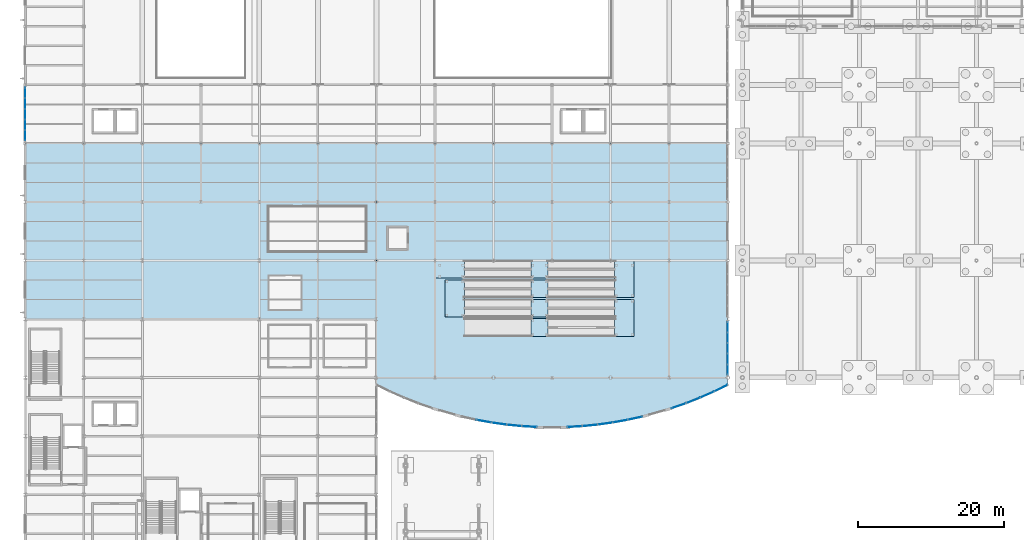
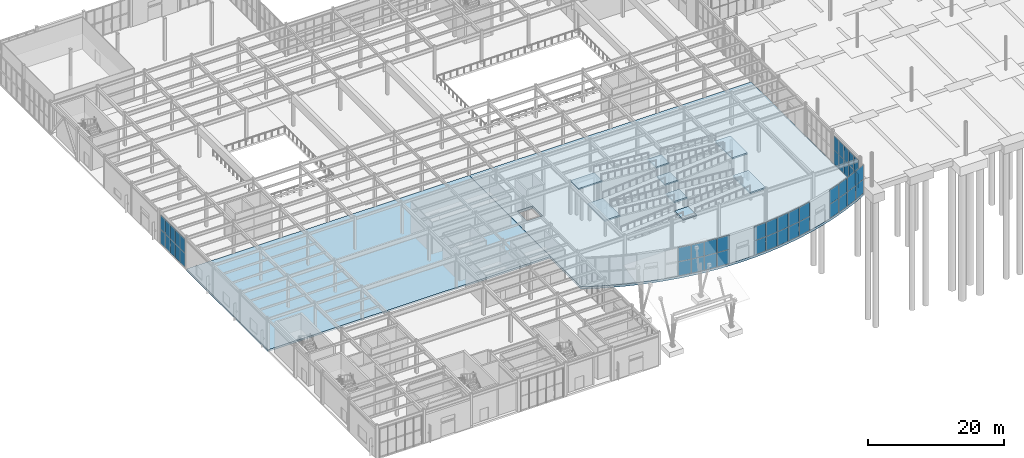
# One storey, part 50 of 82: 46 plates, 10 slabs, 16 elements without a shape of their own.
"""IFC4 building model written with IfcOpenShell, lengths in metres."""

from ifc_helpers import new_model, si_unit, direction, frame, origin, origin_2d, place, context, subcontext, project, spatial, polyline, rectangle, outline, extrude, material, layer, layer_set, type_object, element, aggregate, save


model = new_model("IFC4")

# Units and contexts
model_context = context("Model", 3, precision=1e-05, world=origin(), true_north=direction((0.0, 1.0)))
body_context = subcontext(model_context, "Body", "Model", "MODEL_VIEW")
ifc_project = project(units=[si_unit("LENGTHUNIT", "METRE"), si_unit("AREAUNIT", "SQUARE_METRE"), si_unit("VOLUMEUNIT", "CUBIC_METRE"), si_unit("PLANEANGLEUNIT", "RADIAN"), si_unit("MASSUNIT", "GRAM", prefix="KILO")], contexts=[model_context])

# Site, building, storey
site_placement = place(None, origin())
site = spatial("IfcSite", under=ifc_project, at=site_placement, CompositionType="ELEMENT")
building_placement = place(site_placement, origin())
building = spatial("IfcBuilding", under=site, at=building_placement, Name="Drelvath Fold Interchange", CompositionType="ELEMENT")
storey_placement = place(building_placement, origin())
storey = spatial("IfcBuildingStorey", under=building, at=storey_placement, Name="L00", CompositionType="ELEMENT", Elevation=0.0)

# Curtain wall, plates
ifc_material_1 = material(Name="Anodized Aluminium 6063-T6", Category="aluminium")
curtain_wall_type_1 = type_object("IfcCurtainWallType", Name="CW-ARC-L00", PredefinedType="USERDEFINED", material=ifc_material_1)
curtain_wall_1_placement = place(storey_placement, origin())
curtain_wall_1 = element("IfcCurtainWall", 1, at=curtain_wall_1_placement, inside=storey, type_object=curtain_wall_type_1, Name="Curtain wall CW-WH-L00-07", ObjectType="UNITISED CURTAIN WALL", PredefinedType="USERDEFINED")
ifc_material_2 = material(Name="Low-Iron Insulated Laminated Glass", Category="glass")
ifc_layer_1 = layer(ifc_material_2, 0.035888671875, Name="Low-Iron Insulated Laminated Glass")
ifc_layer_set_1 = layer_set([ifc_layer_1], Name="Low-Iron Insulated Laminated Glass")
plate_type_1 = type_object("IfcPlateType", Name="CP-ARC-A", PredefinedType="CURTAIN_PANEL", material=ifc_layer_set_1)
plate_1_placement = place(storey_placement, frame((66.7041015625, 21.032958984375, 0.0400390625), z_axis=(0.0, 0.0, 1.0), x_axis=(0.984177058302, -0.177187804071, 0.0)))
plate_1 = element("IfcPlate", 2, at=plate_1_placement, type_object=plate_type_1, Name="CW-WH-L00-07 glazed panel 0-0", PredefinedType="CURTAIN_PANEL", context=body_context, shape_type="SweptSolid", body=[
    extrude(rectangle(XDim=1.97705078125, YDim=0.035888671875, at=origin_2d()), origin(), (0.0, 0.0, 1.0), 2.550048828125),
])
plate_2_placement = place(storey_placement, frame((66.7041015625, 21.032958984375, 2.60986328125), z_axis=(0.0, 0.0, 1.0), x_axis=(0.984177058302, -0.177187804071, 0.0)))
plate_2 = element("IfcPlate", 3, at=plate_2_placement, type_object=plate_type_1, Name="CW-WH-L00-07 glazed panel 0-1", PredefinedType="CURTAIN_PANEL", context=body_context, shape_type="SweptSolid", body=[
    extrude(rectangle(XDim=1.97705078125, YDim=0.035888671875, at=origin_2d()), origin(), (0.0, 0.0, 1.0), 2.550048828125),
])
aggregate(curtain_wall_1, [plate_1, plate_2])

curtain_wall_2_placement = place(storey_placement, origin())
curtain_wall_2 = element("IfcCurtainWall", 4, at=curtain_wall_2_placement, inside=storey, type_object=curtain_wall_type_1, Name="Curtain wall CW-WH-L00-08", ObjectType="UNITISED CURTAIN WALL", PredefinedType="USERDEFINED")
plate_3_placement = place(storey_placement, frame((68.7548828125, 20.7060546875, 0.0400390625), z_axis=(0.0, 0.0, 1.0), x_axis=(0.990406033328, -0.138187876271, 0.0)))
plate_3 = element("IfcPlate", 5, at=plate_3_placement, type_object=plate_type_1, Name="CW-WH-L00-08 glazed panel 0-0", PredefinedType="CURTAIN_PANEL", context=body_context, shape_type="SweptSolid", body=[
    extrude(rectangle(XDim=1.97705078125, YDim=0.035888671875, at=origin_2d()), origin(), (0.0, 0.0, 1.0), 2.550048828125),
])
plate_4_placement = place(storey_placement, frame((68.7548828125, 20.7060546875, 2.60986328125), z_axis=(0.0, 0.0, 1.0), x_axis=(0.990406033328, -0.138187876271, 0.0)))
plate_4 = element("IfcPlate", 6, at=plate_4_placement, type_object=plate_type_1, Name="CW-WH-L00-08 glazed panel 0-1", PredefinedType="CURTAIN_PANEL", context=body_context, shape_type="SweptSolid", body=[
    extrude(rectangle(XDim=1.97705078125, YDim=0.035888671875, at=origin_2d()), origin(), (0.0, 0.0, 1.0), 2.550048828125),
])
aggregate(curtain_wall_2, [plate_3, plate_4])

curtain_wall_3_placement = place(storey_placement, origin())
curtain_wall_3 = element("IfcCurtainWall", 7, at=curtain_wall_3_placement, inside=storey, type_object=curtain_wall_type_1, Name="Curtain wall CW-WH-L00-09", ObjectType="UNITISED CURTAIN WALL", PredefinedType="USERDEFINED")
plate_5_placement = place(storey_placement, frame((70.81591796875, 20.458984375, 0.0400390625), z_axis=(0.0, 0.0, 1.0), x_axis=(0.99511777798, -0.098694518326, 0.0)))
plate_5 = element("IfcPlate", 8, at=plate_5_placement, type_object=plate_type_1, Name="CW-WH-L00-09 glazed panel 0-0", PredefinedType="CURTAIN_PANEL", context=body_context, shape_type="SweptSolid", body=[
    extrude(rectangle(XDim=1.97705078125, YDim=0.035888671875, at=origin_2d()), origin(), (0.0, 0.0, 1.0), 2.550048828125),
])
plate_6_placement = place(storey_placement, frame((70.81591796875, 20.458984375, 2.60986328125), z_axis=(0.0, 0.0, 1.0), x_axis=(0.99511777798, -0.098694518326, 0.0)))
plate_6 = element("IfcPlate", 9, at=plate_6_placement, type_object=plate_type_1, Name="CW-WH-L00-09 glazed panel 0-1", PredefinedType="CURTAIN_PANEL", context=body_context, shape_type="SweptSolid", body=[
    extrude(rectangle(XDim=1.97705078125, YDim=0.035888671875, at=origin_2d()), origin(), (0.0, 0.0, 1.0), 2.550048828125),
])
aggregate(curtain_wall_3, [plate_5, plate_6])

curtain_wall_4_placement = place(storey_placement, origin())
curtain_wall_4 = element("IfcCurtainWall", 10, at=curtain_wall_4_placement, inside=storey, type_object=curtain_wall_type_1, Name="Curtain wall CW-WH-L00-10", ObjectType="UNITISED CURTAIN WALL", PredefinedType="USERDEFINED")
plate_7_placement = place(storey_placement, frame((72.885986328125, 20.2958984375, 0.0400390625), z_axis=(0.0, 0.0, 1.0), x_axis=(0.998243965857, -0.059236683145, 0.0)))
plate_7 = element("IfcPlate", 11, at=plate_7_placement, type_object=plate_type_1, Name="CW-WH-L00-10 glazed panel 0-0", PredefinedType="CURTAIN_PANEL", context=body_context, shape_type="SweptSolid", body=[
    extrude(rectangle(XDim=1.97705078125, YDim=0.035888671875, at=origin_2d()), origin(), (0.0, 0.0, 1.0), 2.550048828125),
])
plate_8_placement = place(storey_placement, frame((72.885986328125, 20.2958984375, 2.60986328125), z_axis=(0.0, 0.0, 1.0), x_axis=(0.998243965857, -0.059236683145, 0.0)))
plate_8 = element("IfcPlate", 12, at=plate_8_placement, type_object=plate_type_1, Name="CW-WH-L00-10 glazed panel 0-1", PredefinedType="CURTAIN_PANEL", context=body_context, shape_type="SweptSolid", body=[
    extrude(rectangle(XDim=1.97705078125, YDim=0.035888671875, at=origin_2d()), origin(), (0.0, 0.0, 1.0), 2.550048828125),
])
aggregate(curtain_wall_4, [plate_7, plate_8])

curtain_wall_5_placement = place(storey_placement, origin())
curtain_wall_5 = element("IfcCurtainWall", 13, at=curtain_wall_5_placement, inside=storey, type_object=curtain_wall_type_1, Name="Curtain wall CW-WH-L00-13", ObjectType="UNITISED CURTAIN WALL", PredefinedType="USERDEFINED")
plate_9_placement = place(storey_placement, frame((79.114013671875, 20.2958984375, 0.0400390625), z_axis=(0.0, 0.0, 1.0), x_axis=(0.998243965857, 0.059236683145, 0.0)))
plate_9 = element("IfcPlate", 14, at=plate_9_placement, type_object=plate_type_1, Name="CW-WH-L00-13 glazed panel 0-0", PredefinedType="CURTAIN_PANEL", context=body_context, shape_type="SweptSolid", body=[
    extrude(rectangle(XDim=1.97705078125, YDim=0.035888671875, at=origin_2d()), origin(), (0.0, 0.0, 1.0), 2.550048828125),
])
plate_10_placement = place(storey_placement, frame((79.114013671875, 20.2958984375, 2.60986328125), z_axis=(0.0, 0.0, 1.0), x_axis=(0.998243965857, 0.059236683145, 0.0)))
plate_10 = element("IfcPlate", 15, at=plate_10_placement, type_object=plate_type_1, Name="CW-WH-L00-13 glazed panel 0-1", PredefinedType="CURTAIN_PANEL", context=body_context, shape_type="SweptSolid", body=[
    extrude(rectangle(XDim=1.97705078125, YDim=0.035888671875, at=origin_2d()), origin(), (0.0, 0.0, 1.0), 2.550048828125),
])
aggregate(curtain_wall_5, [plate_9, plate_10])

curtain_wall_6_placement = place(storey_placement, origin())
curtain_wall_6 = element("IfcCurtainWall", 16, at=curtain_wall_6_placement, inside=storey, type_object=curtain_wall_type_1, Name="Curtain wall CW-WH-L00-14", ObjectType="UNITISED CURTAIN WALL", PredefinedType="USERDEFINED")
plate_11_placement = place(storey_placement, frame((81.18408203125, 20.458984375, 0.0400390625), z_axis=(0.0, 0.0, 1.0), x_axis=(0.99511777798, 0.098694518326, 0.0)))
plate_11 = element("IfcPlate", 17, at=plate_11_placement, type_object=plate_type_1, Name="CW-WH-L00-14 glazed panel 0-0", PredefinedType="CURTAIN_PANEL", context=body_context, shape_type="SweptSolid", body=[
    extrude(rectangle(XDim=1.97705078125, YDim=0.035888671875, at=origin_2d()), origin(), (0.0, 0.0, 1.0), 2.550048828125),
])
plate_12_placement = place(storey_placement, frame((81.18408203125, 20.458984375, 2.60986328125), z_axis=(0.0, 0.0, 1.0), x_axis=(0.99511777798, 0.098694518326, 0.0)))
plate_12 = element("IfcPlate", 18, at=plate_12_placement, type_object=plate_type_1, Name="CW-WH-L00-14 glazed panel 0-1", PredefinedType="CURTAIN_PANEL", context=body_context, shape_type="SweptSolid", body=[
    extrude(rectangle(XDim=1.97705078125, YDim=0.035888671875, at=origin_2d()), origin(), (0.0, 0.0, 1.0), 2.550048828125),
])
aggregate(curtain_wall_6, [plate_11, plate_12])

curtain_wall_7_placement = place(storey_placement, origin())
curtain_wall_7 = element("IfcCurtainWall", 19, at=curtain_wall_7_placement, inside=storey, type_object=curtain_wall_type_1, Name="Curtain wall CW-WH-L00-15", ObjectType="UNITISED CURTAIN WALL", PredefinedType="USERDEFINED")
plate_13_placement = place(storey_placement, frame((83.2451171875, 20.7060546875, 0.0400390625), z_axis=(0.0, 0.0, 1.0), x_axis=(0.990406033328, 0.138187876271, 0.0)))
plate_13 = element("IfcPlate", 20, at=plate_13_placement, type_object=plate_type_1, Name="CW-WH-L00-15 glazed panel 0-0", PredefinedType="CURTAIN_PANEL", context=body_context, shape_type="SweptSolid", body=[
    extrude(rectangle(XDim=1.97705078125, YDim=0.035888671875, at=origin_2d()), origin(), (0.0, 0.0, 1.0), 2.550048828125),
])
plate_14_placement = place(storey_placement, frame((83.2451171875, 20.7060546875, 2.60986328125), z_axis=(0.0, 0.0, 1.0), x_axis=(0.990406033328, 0.138187876271, 0.0)))
plate_14 = element("IfcPlate", 21, at=plate_14_placement, type_object=plate_type_1, Name="CW-WH-L00-15 glazed panel 0-1", PredefinedType="CURTAIN_PANEL", context=body_context, shape_type="SweptSolid", body=[
    extrude(rectangle(XDim=1.97705078125, YDim=0.035888671875, at=origin_2d()), origin(), (0.0, 0.0, 1.0), 2.550048828125),
])
aggregate(curtain_wall_7, [plate_13, plate_14])

curtain_wall_8_placement = place(storey_placement, origin())
curtain_wall_8 = element("IfcCurtainWall", 22, at=curtain_wall_8_placement, inside=storey, type_object=curtain_wall_type_1, Name="Curtain wall CW-WH-L00-16", ObjectType="UNITISED CURTAIN WALL", PredefinedType="USERDEFINED")
plate_15_placement = place(storey_placement, frame((85.2958984375, 21.032958984375, 0.0400390625), z_axis=(0.0, 0.0, 1.0), x_axis=(0.984177058302, 0.177187804071, 0.0)))
plate_15 = element("IfcPlate", 23, at=plate_15_placement, type_object=plate_type_1, Name="CW-WH-L00-16 glazed panel 0-0", PredefinedType="CURTAIN_PANEL", context=body_context, shape_type="SweptSolid", body=[
    extrude(rectangle(XDim=1.97705078125, YDim=0.035888671875, at=origin_2d()), origin(), (0.0, 0.0, 1.0), 2.550048828125),
])
plate_16_placement = place(storey_placement, frame((85.2958984375, 21.032958984375, 2.60986328125), z_axis=(0.0, 0.0, 1.0), x_axis=(0.984177058302, 0.177187804071, 0.0)))
plate_16 = element("IfcPlate", 24, at=plate_16_placement, type_object=plate_type_1, Name="CW-WH-L00-16 glazed panel 0-1", PredefinedType="CURTAIN_PANEL", context=body_context, shape_type="SweptSolid", body=[
    extrude(rectangle(XDim=1.97705078125, YDim=0.035888671875, at=origin_2d()), origin(), (0.0, 0.0, 1.0), 2.550048828125),
])
aggregate(curtain_wall_8, [plate_15, plate_16])

curtain_wall_9_placement = place(storey_placement, origin())
curtain_wall_9 = element("IfcCurtainWall", 25, at=curtain_wall_9_placement, inside=storey, type_object=curtain_wall_type_1, Name="Curtain wall CW-WH-L00-17", ObjectType="UNITISED CURTAIN WALL", PredefinedType="USERDEFINED")
plate_17_placement = place(storey_placement, frame((87.33203125, 21.44091796875, 0.0400390625), z_axis=(0.0, 0.0, 1.0), x_axis=(0.976458168269, 0.215706851122, 0.0)))
plate_17 = element("IfcPlate", 26, at=plate_17_placement, type_object=plate_type_1, Name="CW-WH-L00-17 glazed panel 0-0", PredefinedType="CURTAIN_PANEL", context=body_context, shape_type="SweptSolid", body=[
    extrude(rectangle(XDim=1.97705078125, YDim=0.035888671875, at=origin_2d()), origin(), (0.0, 0.0, 1.0), 2.550048828125),
])
plate_18_placement = place(storey_placement, frame((87.33203125, 21.44091796875, 2.60986328125), z_axis=(0.0, 0.0, 1.0), x_axis=(0.976458168269, 0.215706851122, 0.0)))
plate_18 = element("IfcPlate", 27, at=plate_18_placement, type_object=plate_type_1, Name="CW-WH-L00-17 glazed panel 0-1", PredefinedType="CURTAIN_PANEL", context=body_context, shape_type="SweptSolid", body=[
    extrude(rectangle(XDim=1.97705078125, YDim=0.035888671875, at=origin_2d()), origin(), (0.0, 0.0, 1.0), 2.550048828125),
])
aggregate(curtain_wall_9, [plate_17, plate_18])

curtain_wall_10_placement = place(storey_placement, origin())
curtain_wall_10 = element("IfcCurtainWall", 28, at=curtain_wall_10_placement, inside=storey, type_object=curtain_wall_type_1, Name="Curtain wall CW-WH-L00-20", ObjectType="UNITISED CURTAIN WALL", PredefinedType="USERDEFINED")
plate_19_placement = place(storey_placement, frame((93.322021484375, 23.14306640625, 0.0400390625), z_axis=(0.0, 0.0, 1.0), x_axis=(0.944060245862, 0.329773031317, 0.0)))
plate_19 = element("IfcPlate", 29, at=plate_19_placement, type_object=plate_type_1, Name="CW-WH-L00-20 glazed panel 0-0", PredefinedType="CURTAIN_PANEL", context=body_context, shape_type="SweptSolid", body=[
    extrude(rectangle(XDim=1.97705078125, YDim=0.035888671875, at=origin_2d()), origin(), (0.0, 0.0, 1.0), 2.550048828125),
])
plate_20_placement = place(storey_placement, frame((93.322021484375, 23.14306640625, 2.60986328125), z_axis=(0.0, 0.0, 1.0), x_axis=(0.944060245862, 0.329773031317, 0.0)))
plate_20 = element("IfcPlate", 30, at=plate_20_placement, type_object=plate_type_1, Name="CW-WH-L00-20 glazed panel 0-1", PredefinedType="CURTAIN_PANEL", context=body_context, shape_type="SweptSolid", body=[
    extrude(rectangle(XDim=1.97705078125, YDim=0.035888671875, at=origin_2d()), origin(), (0.0, 0.0, 1.0), 2.550048828125),
])
aggregate(curtain_wall_10, [plate_19, plate_20])

curtain_wall_11_placement = place(storey_placement, origin())
curtain_wall_11 = element("IfcCurtainWall", 31, at=curtain_wall_11_placement, inside=storey, type_object=curtain_wall_type_1, Name="Curtain wall CW-WH-L00-21", ObjectType="UNITISED CURTAIN WALL", PredefinedType="USERDEFINED")
plate_21_placement = place(storey_placement, frame((95.26806640625, 23.866943359375, 0.0400390625), z_axis=(0.0, 0.0, 1.0), x_axis=(0.93009738109, 0.367313029567, 0.0)))
plate_21 = element("IfcPlate", 32, at=plate_21_placement, type_object=plate_type_1, Name="CW-WH-L00-21 glazed panel 0-0", PredefinedType="CURTAIN_PANEL", context=body_context, shape_type="SweptSolid", body=[
    extrude(rectangle(XDim=1.97705078125, YDim=0.035888671875, at=origin_2d()), origin(), (0.0, 0.0, 1.0), 2.550048828125),
])
plate_22_placement = place(storey_placement, frame((95.26806640625, 23.866943359375, 2.60986328125), z_axis=(0.0, 0.0, 1.0), x_axis=(0.93009738109, 0.367313029567, 0.0)))
plate_22 = element("IfcPlate", 33, at=plate_22_placement, type_object=plate_type_1, Name="CW-WH-L00-21 glazed panel 0-1", PredefinedType="CURTAIN_PANEL", context=body_context, shape_type="SweptSolid", body=[
    extrude(rectangle(XDim=1.97705078125, YDim=0.035888671875, at=origin_2d()), origin(), (0.0, 0.0, 1.0), 2.550048828125),
])
aggregate(curtain_wall_11, [plate_21, plate_22])

curtain_wall_12_placement = place(storey_placement, origin())
curtain_wall_12 = element("IfcCurtainWall", 34, at=curtain_wall_12_placement, inside=storey, type_object=curtain_wall_type_1, Name="Curtain wall CW-WH-L00-22", ObjectType="UNITISED CURTAIN WALL", PredefinedType="USERDEFINED")
plate_23_placement = place(storey_placement, frame((97.18408203125, 24.66796875, 0.0400390625), z_axis=(0.0, 0.0, 1.0), x_axis=(0.91495966785, 0.403545296352, 0.0)))
plate_23 = element("IfcPlate", 35, at=plate_23_placement, type_object=plate_type_1, Name="CW-WH-L00-22 glazed panel 0-0", PredefinedType="CURTAIN_PANEL", context=body_context, shape_type="SweptSolid", body=[
    extrude(rectangle(XDim=1.97705078125, YDim=0.035888671875, at=origin_2d()), origin(), (0.0, 0.0, 1.0), 2.550048828125),
])
plate_24_placement = place(storey_placement, frame((97.18408203125, 24.66796875, 2.60986328125), z_axis=(0.0, 0.0, 1.0), x_axis=(0.91495966785, 0.403545296352, 0.0)))
plate_24 = element("IfcPlate", 36, at=plate_24_placement, type_object=plate_type_1, Name="CW-WH-L00-22 glazed panel 0-1", PredefinedType="CURTAIN_PANEL", context=body_context, shape_type="SweptSolid", body=[
    extrude(rectangle(XDim=1.97705078125, YDim=0.035888671875, at=origin_2d()), origin(), (0.0, 0.0, 1.0), 2.550048828125),
])
aggregate(curtain_wall_12, [plate_23, plate_24])

curtain_wall_13_placement = place(storey_placement, origin())
curtain_wall_13 = element("IfcCurtainWall", 37, at=curtain_wall_13_placement, inside=storey, type_object=curtain_wall_type_1, Name="Curtain wall CW-WH-L00-23", ObjectType="UNITISED CURTAIN WALL", PredefinedType="USERDEFINED")
plate_25_placement = place(storey_placement, frame((99.06689453125, 25.5439453125, 0.0400390625), z_axis=(0.0, 0.0, 1.0), x_axis=(0.898242463355, 0.439500258277, 0.0)))
plate_25 = element("IfcPlate", 38, at=plate_25_placement, type_object=plate_type_1, Name="CW-WH-L00-23 glazed panel 0-0", PredefinedType="CURTAIN_PANEL", context=body_context, shape_type="SweptSolid", body=[
    extrude(rectangle(XDim=1.97705078125, YDim=0.035888671875, at=origin_2d()), origin(), (0.0, 0.0, 1.0), 2.550048828125),
])
plate_26_placement = place(storey_placement, frame((99.06689453125, 25.5439453125, 2.60986328125), z_axis=(0.0, 0.0, 1.0), x_axis=(0.898242463355, 0.439500258277, 0.0)))
plate_26 = element("IfcPlate", 39, at=plate_26_placement, type_object=plate_type_1, Name="CW-WH-L00-23 glazed panel 0-1", PredefinedType="CURTAIN_PANEL", context=body_context, shape_type="SweptSolid", body=[
    extrude(rectangle(XDim=1.97705078125, YDim=0.035888671875, at=origin_2d()), origin(), (0.0, 0.0, 1.0), 2.550048828125),
])
aggregate(curtain_wall_13, [plate_25, plate_26])

curtain_wall_type_2 = type_object("IfcCurtainWallType", Name="CW-CON-600", PredefinedType="USERDEFINED", material=ifc_material_1)
curtain_wall_14_placement = place(storey_placement, origin())
curtain_wall_14 = element("IfcCurtainWall", 40, at=curtain_wall_14_placement, inside=storey, type_object=curtain_wall_type_2, Name="Curtain wall CW-V1-L00-W59", ObjectType="UNITISED CURTAIN WALL", PredefinedType="USERDEFINED")
ifc_layer_2 = layer(ifc_material_2, 0.048095703125, Name="Low-Iron Insulated Laminated Glass")
ifc_layer_set_2 = layer_set([ifc_layer_2], Name="Low-Iron Insulated Laminated Glass")
plate_type_2 = type_object("IfcPlateType", Name="CP-CON-A", PredefinedType="CURTAIN_PANEL", material=ifc_layer_set_2)
plate_27_placement = place(storey_placement, frame((4.0, 60.10791015625, 0.03955078125), z_axis=(0.0, 0.0, 1.0), x_axis=(0.0, 1.0, 0.0)))
plate_27 = element("IfcPlate", 41, at=plate_27_placement, type_object=plate_type_2, Name="CW-V1-L00-W59 glazed panel 0-0", PredefinedType="CURTAIN_PANEL", context=body_context, shape_type="SweptSolid", body=[
    extrude(rectangle(XDim=1.39599609375, YDim=0.048095703125, at=origin_2d()), origin(), (0.0, 0.0, 1.0), 2.52490234375),
])
plate_28_placement = place(storey_placement, frame((4.0, 60.10791015625, 2.58544921875), z_axis=(0.0, 0.0, 1.0), x_axis=(0.0, 1.0, 0.0)))
plate_28 = element("IfcPlate", 42, at=plate_28_placement, type_object=plate_type_2, Name="CW-V1-L00-W59 glazed panel 0-1", PredefinedType="CURTAIN_PANEL", context=body_context, shape_type="SweptSolid", body=[
    extrude(rectangle(XDim=1.39599609375, YDim=0.048095703125, at=origin_2d()), origin(), (0.0, 0.0, 1.0), 2.52490234375),
])
plate_29_placement = place(storey_placement, frame((4.0, 61.5439453125, 0.03955078125), z_axis=(0.0, 0.0, 1.0), x_axis=(0.0, 1.0, 0.0)))
plate_29 = element("IfcPlate", 43, at=plate_29_placement, type_object=plate_type_2, Name="CW-V1-L00-W59 glazed panel 1-0", PredefinedType="CURTAIN_PANEL", context=body_context, shape_type="SweptSolid", body=[
    extrude(rectangle(XDim=1.43603515625, YDim=0.048095703125, at=origin_2d()), origin(), (0.0, 0.0, 1.0), 2.52490234375),
])
plate_30_placement = place(storey_placement, frame((4.0, 61.5439453125, 2.58544921875), z_axis=(0.0, 0.0, 1.0), x_axis=(0.0, 1.0, 0.0)))
plate_30 = element("IfcPlate", 44, at=plate_30_placement, type_object=plate_type_2, Name="CW-V1-L00-W59 glazed panel 1-1", PredefinedType="CURTAIN_PANEL", context=body_context, shape_type="SweptSolid", body=[
    extrude(rectangle(XDim=1.43603515625, YDim=0.048095703125, at=origin_2d()), origin(), (0.0, 0.0, 1.0), 2.52490234375),
])
plate_31_placement = place(storey_placement, frame((4.0, 63.0, 0.03955078125), z_axis=(0.0, 0.0, 1.0), x_axis=(0.0, 1.0, 0.0)))
plate_31 = element("IfcPlate", 45, at=plate_31_placement, type_object=plate_type_2, Name="CW-V1-L00-W59 glazed panel 2-0", PredefinedType="CURTAIN_PANEL", context=body_context, shape_type="SweptSolid", body=[
    extrude(rectangle(XDim=1.43603515625, YDim=0.048095703125, at=origin_2d()), origin(), (0.0, 0.0, 1.0), 2.52490234375),
])
plate_32_placement = place(storey_placement, frame((4.0, 63.0, 2.58544921875), z_axis=(0.0, 0.0, 1.0), x_axis=(0.0, 1.0, 0.0)))
plate_32 = element("IfcPlate", 46, at=plate_32_placement, type_object=plate_type_2, Name="CW-V1-L00-W59 glazed panel 2-1", PredefinedType="CURTAIN_PANEL", context=body_context, shape_type="SweptSolid", body=[
    extrude(rectangle(XDim=1.43603515625, YDim=0.048095703125, at=origin_2d()), origin(), (0.0, 0.0, 1.0), 2.52490234375),
])
plate_33_placement = place(storey_placement, frame((4.0, 64.4560546875, 0.03955078125), z_axis=(0.0, 0.0, 1.0), x_axis=(0.0, 1.0, 0.0)))
plate_33 = element("IfcPlate", 47, at=plate_33_placement, type_object=plate_type_2, Name="CW-V1-L00-W59 glazed panel 3-0", PredefinedType="CURTAIN_PANEL", context=body_context, shape_type="SweptSolid", body=[
    extrude(rectangle(XDim=1.43603515625, YDim=0.048095703125, at=origin_2d()), origin(), (0.0, 0.0, 1.0), 2.52490234375),
])
plate_34_placement = place(storey_placement, frame((4.0, 64.4560546875, 2.58544921875), z_axis=(0.0, 0.0, 1.0), x_axis=(0.0, 1.0, 0.0)))
plate_34 = element("IfcPlate", 48, at=plate_34_placement, type_object=plate_type_2, Name="CW-V1-L00-W59 glazed panel 3-1", PredefinedType="CURTAIN_PANEL", context=body_context, shape_type="SweptSolid", body=[
    extrude(rectangle(XDim=1.43603515625, YDim=0.048095703125, at=origin_2d()), origin(), (0.0, 0.0, 1.0), 2.52490234375),
])
plate_35_placement = place(storey_placement, frame((4.0, 65.89208984375, 0.03955078125), z_axis=(0.0, 0.0, 1.0), x_axis=(0.0, 1.0, 0.0)))
plate_35 = element("IfcPlate", 49, at=plate_35_placement, type_object=plate_type_2, Name="CW-V1-L00-W59 glazed panel 4-0", PredefinedType="CURTAIN_PANEL", context=body_context, shape_type="SweptSolid", body=[
    extrude(rectangle(XDim=1.39599609375, YDim=0.048095703125, at=origin_2d()), origin(), (0.0, 0.0, 1.0), 2.52490234375),
])
plate_36_placement = place(storey_placement, frame((4.0, 65.89208984375, 2.58544921875), z_axis=(0.0, 0.0, 1.0), x_axis=(0.0, 1.0, 0.0)))
plate_36 = element("IfcPlate", 50, at=plate_36_placement, type_object=plate_type_2, Name="CW-V1-L00-W59 glazed panel 4-1", PredefinedType="CURTAIN_PANEL", context=body_context, shape_type="SweptSolid", body=[
    extrude(rectangle(XDim=1.39599609375, YDim=0.048095703125, at=origin_2d()), origin(), (0.0, 0.0, 1.0), 2.52490234375),
])
aggregate(curtain_wall_14, [plate_27, plate_28, plate_29, plate_30, plate_31, plate_32, plate_33, plate_34, plate_35, plate_36])

curtain_wall_15_placement = place(storey_placement, origin())
curtain_wall_15 = element("IfcCurtainWall", 51, at=curtain_wall_15_placement, inside=storey, type_object=curtain_wall_type_2, Name="Curtain wall CW-V1E-L00-Y27", ObjectType="UNITISED CURTAIN WALL", PredefinedType="USERDEFINED")
plate_37_placement = place(storey_placement, frame((100.0, 28.10791015625, 0.03955078125), z_axis=(0.0, 0.0, 1.0), x_axis=(0.0, 1.0, 0.0)))
plate_37 = element("IfcPlate", 52, at=plate_37_placement, type_object=plate_type_2, Name="CW-V1E-L00-Y27 glazed panel 0-0", PredefinedType="CURTAIN_PANEL", context=body_context, shape_type="SweptSolid", body=[
    extrude(rectangle(XDim=1.39599609375, YDim=0.048095703125, at=origin_2d()), origin(), (0.0, 0.0, 1.0), 2.52490234375),
])
plate_38_placement = place(storey_placement, frame((100.0, 28.10791015625, 2.58544921875), z_axis=(0.0, 0.0, 1.0), x_axis=(0.0, 1.0, 0.0)))
plate_38 = element("IfcPlate", 53, at=plate_38_placement, type_object=plate_type_2, Name="CW-V1E-L00-Y27 glazed panel 0-1", PredefinedType="CURTAIN_PANEL", context=body_context, shape_type="SweptSolid", body=[
    extrude(rectangle(XDim=1.39599609375, YDim=0.048095703125, at=origin_2d()), origin(), (0.0, 0.0, 1.0), 2.52490234375),
])
plate_39_placement = place(storey_placement, frame((100.0, 29.5439453125, 0.03955078125), z_axis=(0.0, 0.0, 1.0), x_axis=(0.0, 1.0, 0.0)))
plate_39 = element("IfcPlate", 54, at=plate_39_placement, type_object=plate_type_2, Name="CW-V1E-L00-Y27 glazed panel 1-0", PredefinedType="CURTAIN_PANEL", context=body_context, shape_type="SweptSolid", body=[
    extrude(rectangle(XDim=1.43603515625, YDim=0.048095703125, at=origin_2d()), origin(), (0.0, 0.0, 1.0), 2.52490234375),
])
plate_40_placement = place(storey_placement, frame((100.0, 29.5439453125, 2.58544921875), z_axis=(0.0, 0.0, 1.0), x_axis=(0.0, 1.0, 0.0)))
plate_40 = element("IfcPlate", 55, at=plate_40_placement, type_object=plate_type_2, Name="CW-V1E-L00-Y27 glazed panel 1-1", PredefinedType="CURTAIN_PANEL", context=body_context, shape_type="SweptSolid", body=[
    extrude(rectangle(XDim=1.43603515625, YDim=0.048095703125, at=origin_2d()), origin(), (0.0, 0.0, 1.0), 2.52490234375),
])
plate_41_placement = place(storey_placement, frame((100.0, 31.0, 0.03955078125), z_axis=(0.0, 0.0, 1.0), x_axis=(0.0, 1.0, 0.0)))
plate_41 = element("IfcPlate", 56, at=plate_41_placement, type_object=plate_type_2, Name="CW-V1E-L00-Y27 glazed panel 2-0", PredefinedType="CURTAIN_PANEL", context=body_context, shape_type="SweptSolid", body=[
    extrude(rectangle(XDim=1.43603515625, YDim=0.048095703125, at=origin_2d()), origin(), (0.0, 0.0, 1.0), 2.52490234375),
])
plate_42_placement = place(storey_placement, frame((100.0, 31.0, 2.58544921875), z_axis=(0.0, 0.0, 1.0), x_axis=(0.0, 1.0, 0.0)))
plate_42 = element("IfcPlate", 57, at=plate_42_placement, type_object=plate_type_2, Name="CW-V1E-L00-Y27 glazed panel 2-1", PredefinedType="CURTAIN_PANEL", context=body_context, shape_type="SweptSolid", body=[
    extrude(rectangle(XDim=1.43603515625, YDim=0.048095703125, at=origin_2d()), origin(), (0.0, 0.0, 1.0), 2.52490234375),
])
plate_43_placement = place(storey_placement, frame((100.0, 32.4560546875, 0.03955078125), z_axis=(0.0, 0.0, 1.0), x_axis=(0.0, 1.0, 0.0)))
plate_43 = element("IfcPlate", 58, at=plate_43_placement, type_object=plate_type_2, Name="CW-V1E-L00-Y27 glazed panel 3-0", PredefinedType="CURTAIN_PANEL", context=body_context, shape_type="SweptSolid", body=[
    extrude(rectangle(XDim=1.43603515625, YDim=0.048095703125, at=origin_2d()), origin(), (0.0, 0.0, 1.0), 2.52490234375),
])
plate_44_placement = place(storey_placement, frame((100.0, 32.4560546875, 2.58544921875), z_axis=(0.0, 0.0, 1.0), x_axis=(0.0, 1.0, 0.0)))
plate_44 = element("IfcPlate", 59, at=plate_44_placement, type_object=plate_type_2, Name="CW-V1E-L00-Y27 glazed panel 3-1", PredefinedType="CURTAIN_PANEL", context=body_context, shape_type="SweptSolid", body=[
    extrude(rectangle(XDim=1.43603515625, YDim=0.048095703125, at=origin_2d()), origin(), (0.0, 0.0, 1.0), 2.52490234375),
])
plate_45_placement = place(storey_placement, frame((100.0, 33.89208984375, 0.03955078125), z_axis=(0.0, 0.0, 1.0), x_axis=(0.0, 1.0, 0.0)))
plate_45 = element("IfcPlate", 60, at=plate_45_placement, type_object=plate_type_2, Name="CW-V1E-L00-Y27 glazed panel 4-0", PredefinedType="CURTAIN_PANEL", context=body_context, shape_type="SweptSolid", body=[
    extrude(rectangle(XDim=1.39599609375, YDim=0.048095703125, at=origin_2d()), origin(), (0.0, 0.0, 1.0), 2.52490234375),
])
plate_46_placement = place(storey_placement, frame((100.0, 33.89208984375, 2.58544921875), z_axis=(0.0, 0.0, 1.0), x_axis=(0.0, 1.0, 0.0)))
plate_46 = element("IfcPlate", 61, at=plate_46_placement, type_object=plate_type_2, Name="CW-V1E-L00-Y27 glazed panel 4-1", PredefinedType="CURTAIN_PANEL", context=body_context, shape_type="SweptSolid", body=[
    extrude(rectangle(XDim=1.39599609375, YDim=0.048095703125, at=origin_2d()), origin(), (0.0, 0.0, 1.0), 2.52490234375),
])
aggregate(curtain_wall_15, [plate_37, plate_38, plate_39, plate_40, plate_41, plate_42, plate_43, plate_44, plate_45, plate_46])

# Slabs
ifc_material_3 = material(Name="Concrete f'c 35 MPa (5000 psi)", Category="concrete")
ifc_layer_3 = layer(ifc_material_3, 0.320068359375, Name="Concrete f'c 35 MPa (5000 psi)")
ifc_layer_set_3 = layer_set([ifc_layer_3], Name="Concrete f'c 35 MPa (5000 psi)")
slab_type_1 = type_object("IfcSlabType", Name="FS-L00", PredefinedType="FLOOR", material=ifc_layer_set_3)
slab_1_placement = place(storey_placement, frame((0.0, 0.0, -0.320068359375)))
element("IfcSlab", 62, at=slab_1_placement, inside=storey, type_object=slab_type_1, Name="L00 structural slab SL-L00-V5N", PredefinedType="FLOOR", context=body_context, shape_type="SweptSolid", body=[
    extrude(outline(polyline([(4.0, 35.0), (52.0, 35.0), (52.0, 59.0), (4.0, 59.0), (4.0, 35.0)])), origin(), (0.0, 0.0, 1.0), 0.320068359375),
])
ifc_material_4 = material(Name="Concrete f'c 45 MPa (6500 psi)", Category="concrete")
ifc_layer_4 = layer(ifc_material_4, 0.419921875, Name="Concrete f'c 45 MPa (6500 psi)")
ifc_layer_set_4 = layer_set([ifc_layer_4], Name="Concrete f'c 45 MPa (6500 psi)")
slab_type_2 = type_object("IfcSlabType", Name="FS-L00W", PredefinedType="FLOOR", material=ifc_layer_set_4)
slab_2_placement = place(storey_placement, frame((0.0, 0.0, -0.419921875)))
element("IfcSlab", 63, at=slab_2_placement, inside=storey, type_object=slab_type_2, Name="L00 structural slab SL-L00-V2", PredefinedType="FLOOR", context=body_context, shape_type="SweptSolid", body=[
    extrude(outline(polyline([(52.0, 26.0), (53.865966796875, 25.0869140625), (55.76611328125, 24.2490234375), (57.697998046875, 23.486083984375), (59.658935546875, 22.801025390625), (61.64501953125, 22.194091796875), (63.654052734375, 21.6650390625), (65.681884765625, 21.217041015625), (67.72607421875, 20.84912109375), (69.782958984375, 20.56201171875), (71.85009765625, 20.35693359375), (73.923095703125, 20.23388671875), (76.0, 20.193115234375), (78.076904296875, 20.23388671875), (80.14990234375, 20.35693359375), (82.217041015625, 20.56201171875), (84.27392578125, 20.84912109375), (86.318115234375, 21.217041015625), (88.345947265625, 21.6650390625), (90.35498046875, 22.194091796875), (92.341064453125, 22.801025390625), (94.302001953125, 23.486083984375), (96.23388671875, 24.2490234375), (98.134033203125, 25.0869140625), (100.0, 26.0), (100.0, 59.0), (52.0, 59.0), (52.0, 26.0)]), holes=[polyline([(53.60009765625, 44.60009765625), (53.60009765625, 47.5), (56.199951171875, 47.5), (56.199951171875, 44.60009765625), (53.60009765625, 44.60009765625)])]), origin(), (0.0, 0.0, 1.0), 0.419921875),
])

# Ramp, slabs
ramp_type = type_object("IfcRampType", Name="RMP-WH320", PredefinedType="HALF_TURN_RAMP", material=ifc_material_3)
ramp_placement = place(storey_placement, origin())
ramp = element("IfcRamp", 64, at=ramp_placement, inside=storey, type_object=ramp_type, Name="Waiting Hall Curved Crimson Promenade Ramp R-WH1", PredefinedType="HALF_TURN_RAMP")
ifc_layer_5 = layer(ifc_material_3, 0.25, Name="Concrete f'c 35 MPa (5000 psi)")
ifc_layer_set_5 = layer_set([ifc_layer_5], Name="Concrete f'c 35 MPa (5000 psi)")
slab_type_3 = type_object("IfcSlabType", Name="SL-RMP225", PredefinedType="LANDING", material=ifc_layer_set_5)
slab_3_placement = place(storey_placement, frame((0.0, 0.0, 0.5)))
slab_3 = element("IfcSlab", 65, at=slab_3_placement, type_object=slab_type_3, Name="Promenade ramp landing 1", PredefinedType="LANDING", context=body_context, shape_type="SweptSolid", body=[
    extrude(outline(polyline([(73.14990234375, 32.64990234375), (75.449951171875, 32.64990234375), (75.449951171875, 35.050048828125), (73.14990234375, 35.050048828125), (73.14990234375, 32.64990234375)])), origin(), (0.0, 0.0, 1.0), 0.25),
])
slab_4_placement = place(storey_placement, frame((0.0, 0.0, 1.25)))
slab_4 = element("IfcSlab", 66, at=slab_4_placement, type_object=slab_type_3, Name="Promenade ramp landing 2", PredefinedType="LANDING", context=body_context, shape_type="SweptSolid", body=[
    extrude(outline(polyline([(84.550048828125, 32.64990234375), (87.199951171875, 32.64990234375), (87.199951171875, 37.699951171875), (84.550048828125, 37.699951171875), (84.550048828125, 32.64990234375)])), origin(), (0.0, 0.0, 1.0), 0.25),
])
slab_5_placement = place(storey_placement, frame((0.0, 0.0, 2.0)))
slab_5 = element("IfcSlab", 67, at=slab_5_placement, type_object=slab_type_3, Name="Promenade ramp landing 3", PredefinedType="LANDING", context=body_context, shape_type="SweptSolid", body=[
    extrude(outline(polyline([(73.14990234375, 35.300048828125), (75.449951171875, 35.300048828125), (75.449951171875, 37.699951171875), (73.14990234375, 37.699951171875), (73.14990234375, 35.300048828125)])), origin(), (0.0, 0.0, 1.0), 0.25),
])
slab_6_placement = place(storey_placement, frame((0.0, 0.0, 2.75)))
slab_6 = element("IfcSlab", 68, at=slab_6_placement, type_object=slab_type_3, Name="Promenade ramp landing 4", PredefinedType="LANDING", context=body_context, shape_type="SweptSolid", body=[
    extrude(outline(polyline([(61.39990234375, 35.300048828125), (64.050048828125, 35.300048828125), (64.050048828125, 40.35009765625), (61.39990234375, 40.35009765625), (61.39990234375, 35.300048828125)])), origin(), (0.0, 0.0, 1.0), 0.25),
])
slab_7_placement = place(storey_placement, frame((0.0, 0.0, 3.5)))
slab_7 = element("IfcSlab", 69, at=slab_7_placement, type_object=slab_type_3, Name="Promenade ramp landing 5", PredefinedType="LANDING", context=body_context, shape_type="SweptSolid", body=[
    extrude(outline(polyline([(73.14990234375, 37.949951171875), (75.449951171875, 37.949951171875), (75.449951171875, 40.35009765625), (73.14990234375, 40.35009765625), (73.14990234375, 37.949951171875)])), origin(), (0.0, 0.0, 1.0), 0.25),
])
slab_8_placement = place(storey_placement, frame((0.0, 0.0, 4.25)))
slab_8 = element("IfcSlab", 70, at=slab_8_placement, type_object=slab_type_3, Name="Promenade ramp landing 6", PredefinedType="LANDING", context=body_context, shape_type="SweptSolid", body=[
    extrude(outline(polyline([(84.550048828125, 37.949951171875), (87.199951171875, 37.949951171875), (87.199951171875, 43.0), (84.550048828125, 43.0), (84.550048828125, 37.949951171875)])), origin(), (0.0, 0.0, 1.0), 0.25),
])
slab_9_placement = place(storey_placement, frame((0.0, 0.0, 5.0)))
slab_9 = element("IfcSlab", 71, at=slab_9_placement, type_object=slab_type_3, Name="Promenade ramp landing 7", PredefinedType="LANDING", context=body_context, shape_type="SweptSolid", body=[
    extrude(outline(polyline([(73.14990234375, 40.60009765625), (75.449951171875, 40.60009765625), (75.449951171875, 43.0), (73.14990234375, 43.0), (73.14990234375, 40.60009765625)])), origin(), (0.0, 0.0, 1.0), 0.25),
])
placement = place(building_placement, frame((0.0, 0.0, 6.0)))
slab_10_placement = place(placement, frame((0.0, 0.0, -0.25)))
slab_10 = element("IfcSlab", 72, at=slab_10_placement, type_object=slab_type_3, Name="Promenade ramp landing 8", PredefinedType="LANDING", context=body_context, shape_type="SweptSolid", body=[
    extrude(outline(polyline([(60.0, 40.60009765625), (64.050048828125, 40.60009765625), (64.050048828125, 43.0), (60.0, 43.0), (60.0, 40.60009765625)])), origin(), (0.0, 0.0, 1.0), 0.25),
])
aggregate(ramp, [slab_3, slab_4, slab_5, slab_6, slab_7, slab_8, slab_9, slab_10])

save(model, "model.ifc")
